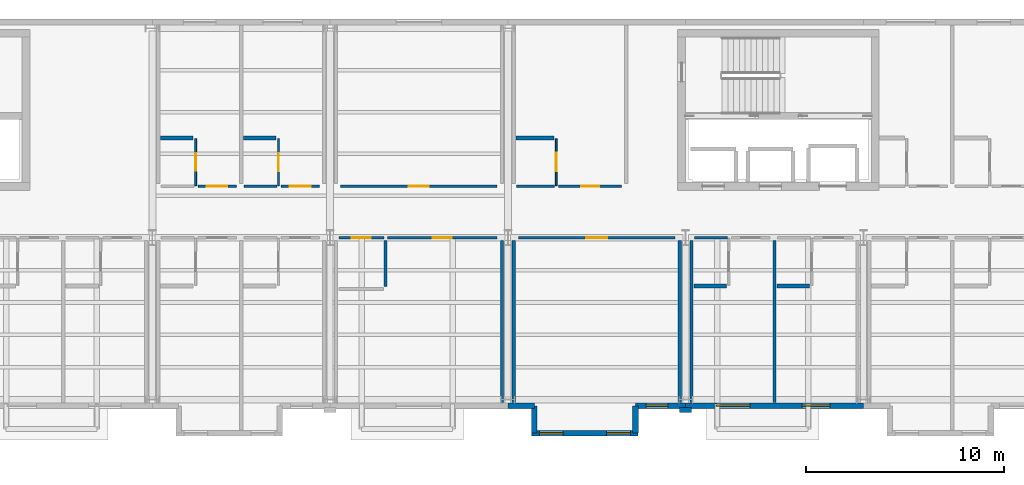
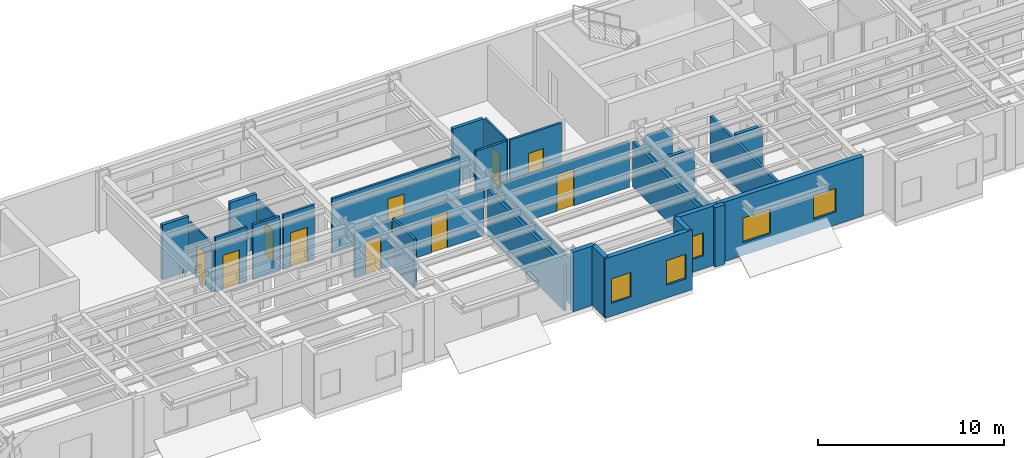
# One storey, part 28 of 46: 31 walls, 10 doors, 5 windows, 15 openings.
"""IFC4 building model written with IfcOpenShell, lengths in metres."""

from ifc_helpers import new_model, si_unit, direction, frame, frame_2d, origin, place, context, subcontext, project, spatial, rectangle, extrude, material, layer, layer_set, type_object, element, fill, save


model = new_model("IFC4")

# Units and contexts
model_context = context("Model", 3, precision=1e-05, world=origin(), true_north=direction((0.0, 1.0)))
body_context = subcontext(model_context, "Body", "Model", "MODEL_VIEW")
ifc_project = project(units=[si_unit("LENGTHUNIT", "METRE"), si_unit("AREAUNIT", "SQUARE_METRE"), si_unit("VOLUMEUNIT", "CUBIC_METRE"), si_unit("PLANEANGLEUNIT", "RADIAN"), si_unit("MASSUNIT", "GRAM", prefix="KILO")], contexts=[model_context])

# Site, building, storey
site_placement = place(None, origin())
site = spatial("IfcSite", under=ifc_project, at=site_placement, CompositionType="ELEMENT")
building_placement = place(site_placement, origin())
building = spatial("IfcBuilding", under=site, at=building_placement, Name="Sollismere Congress Hotel", CompositionType="ELEMENT")
storey_placement = place(building_placement, frame((0.0, 0.0, 19.5)))
storey = spatial("IfcBuildingStorey", under=building, at=storey_placement, Name="L04", CompositionType="ELEMENT", Elevation=19.5)

# Wall
ifc_material_1 = material(Name="Colorado Buff Sandstone Rainscreen on Insulated Backup", Category="masonry")
ifc_layer_1 = layer(ifc_material_1, 0.284912109375, Name="Colorado Buff Sandstone Rainscreen on Insulated Backup")
ifc_layer_set_1 = layer_set([ifc_layer_1], Name="Colorado Buff Sandstone Rainscreen on Insulated Backup")
wall_type_1 = type_object("IfcWallType", Name="WL-EXT285", PredefinedType="STANDARD", material=ifc_layer_set_1)
wall_1_placement = place(storey_placement, frame((85.0, -0.31005859375, 0.0), z_axis=(0.0, 0.0, 1.0), x_axis=(1.0, 0.0, 0.0)))
element("IfcWall", 1, at=wall_1_placement, inside=storey, type_object=wall_type_1, Name="Exterior wall EW-L04-491", PredefinedType="STANDARD", context=body_context, shape_type="SweptSolid", body=[
    extrude(rectangle(XDim=1.340087890625, YDim=0.284912109375, at=frame_2d((0.669921875, 0.0))), origin(), (0.0, 0.0, 1.0), 3.89990234375),
])

# Wall, opening, window
wall_2_placement = place(storey_placement, frame((91.4599609375, -0.31005859375, 0.0), z_axis=(0.0, 0.0, 1.0), x_axis=(1.0, 0.0, 0.0)))
wall_2 = element("IfcWall", 2, at=wall_2_placement, inside=storey, type_object=wall_type_1, Name="Exterior wall EW-L04-492", PredefinedType="STANDARD", context=body_context, shape_type="SweptSolid", body=[
    extrude(rectangle(XDim=2.5400390625, YDim=0.284912109375, at=frame_2d((1.27001953125, 0.0))), origin(), (0.0, 0.0, 1.0), 3.89990234375),
])
opening_1_placement = place(wall_2_placement, frame((0.544921875, 0.0, 0.85009765625)))
opening_1 = element("IfcOpeningElement", 3, at=opening_1_placement, cuts=wall_2, Name="Opening W-L04-377", PredefinedType="OPENING", context=body_context, shape_type="SweptSolid", body=[
    extrude(rectangle(XDim=1.10009765625, YDim=1.5, at=frame_2d((0.550048828125, 0.75))), frame((0.0, 0.15234375, 0.0), z_axis=(0.0, -1.0, 0.0), x_axis=(1.0, 0.0, 0.0)), (0.0, 0.0, 1.0), 0.304931640625),
])
ifc_material_2 = material(Name="Thermally Broken Bronze Aluminum & Low-E Glass", Category="aluminium")
window_type_1 = type_object("IfcWindowType", Name="WN-P110x150", PartitioningType="SINGLE_PANEL", PredefinedType="WINDOW", material=ifc_material_2)
window_1_placement = place(opening_1_placement, origin())
window_1 = element("IfcWindow", 4, at=window_1_placement, inside=storey, type_object=window_type_1, Name="WIN-W-L04-377", OverallHeight=1.5, OverallWidth=1.10009765625, PartitioningType="SINGLE_PANEL", PredefinedType="WINDOW", context=body_context, shape_type="SweptSolid", body=[
    extrude(rectangle(XDim=1.10009765625, YDim=1.5, at=frame_2d((0.550048828125, 0.75))), frame((0.0, 0.030029296875, 0.0), z_axis=(0.0, -1.0, 0.0), x_axis=(1.0, 0.0, 0.0)), (0.0, 0.0, 1.0), 0.06005859375),
])
fill(opening_1, window_1)

# Wall, openings, windows
wall_3_placement = place(storey_placement, frame((86.199951171875, -1.699951171875, 0.0), z_axis=(0.0, 0.0, 1.0), x_axis=(1.0, 0.0, 0.0)))
wall_3 = element("IfcWall", 5, at=wall_3_placement, inside=storey, type_object=wall_type_1, Name="Exterior wall EW-L04-493", PredefinedType="STANDARD", context=body_context, shape_type="SweptSolid", body=[
    extrude(rectangle(XDim=5.400146484375, YDim=0.284912109375, at=frame_2d((2.7001953125, 0.0))), origin(), (0.0, 0.0, 1.0), 3.89990234375),
])
opening_2_placement = place(wall_3_placement, frame((0.39990234375, 0.0, 0.85009765625)))
opening_2 = element("IfcOpeningElement", 6, at=opening_2_placement, cuts=wall_3, Name="Opening W-L04-378", PredefinedType="OPENING", context=body_context, shape_type="SweptSolid", body=[
    extrude(rectangle(XDim=1.199951171875, YDim=1.60009765625, at=frame_2d((0.60009765625, 0.800048828125))), frame((0.0, 0.15234375, 0.0), z_axis=(0.0, -1.0, 0.0), x_axis=(1.0, 0.0, 0.0)), (0.0, 0.0, 1.0), 0.304931640625),
])
opening_3_placement = place(wall_3_placement, frame((3.800048828125, 0.0, 0.85009765625)))
opening_3 = element("IfcOpeningElement", 7, at=opening_3_placement, cuts=wall_3, Name="Opening W-L04-379", PredefinedType="OPENING", context=body_context, shape_type="SweptSolid", body=[
    extrude(rectangle(XDim=1.199951171875, YDim=1.60009765625, at=frame_2d((0.60009765625, 0.800048828125))), frame((0.0, 0.15234375, 0.0), z_axis=(0.0, -1.0, 0.0), x_axis=(1.0, 0.0, 0.0)), (0.0, 0.0, 1.0), 0.304931640625),
])
window_type_2 = type_object("IfcWindowType", Name="WN-P120x160", PartitioningType="SINGLE_PANEL", PredefinedType="WINDOW", material=ifc_material_2)
window_2_placement = place(opening_2_placement, origin())
window_2 = element("IfcWindow", 8, at=window_2_placement, inside=storey, type_object=window_type_2, Name="WIN-W-L04-378", OverallHeight=1.60009765625, OverallWidth=1.199951171875, PartitioningType="SINGLE_PANEL", PredefinedType="WINDOW", context=body_context, shape_type="SweptSolid", body=[
    extrude(rectangle(XDim=1.199951171875, YDim=1.60009765625, at=frame_2d((0.60009765625, 0.800048828125))), frame((0.0, 0.030029296875, 0.0), z_axis=(0.0, -1.0, 0.0), x_axis=(1.0, 0.0, 0.0)), (0.0, 0.0, 1.0), 0.06005859375),
])
fill(opening_2, window_2)
window_3_placement = place(opening_3_placement, origin())
window_3 = element("IfcWindow", 9, at=window_3_placement, inside=storey, type_object=window_type_2, Name="WIN-W-L04-379", OverallHeight=1.60009765625, OverallWidth=1.199951171875, PartitioningType="SINGLE_PANEL", PredefinedType="WINDOW", context=body_context, shape_type="SweptSolid", body=[
    extrude(rectangle(XDim=1.199951171875, YDim=1.60009765625, at=frame_2d((0.60009765625, 0.800048828125))), frame((0.0, 0.030029296875, 0.0), z_axis=(0.0, -1.0, 0.0), x_axis=(1.0, 0.0, 0.0)), (0.0, 0.0, 1.0), 0.06005859375),
])
fill(opening_3, window_3)

# Walls
for number, where, z_axis, x_axis, name in (
    (10, (86.340087890625, -0.31005859375, 0.0), (0.0, 0.0, 1.0), (0.0, -1.0, 0.0), "Exterior wall EW-L04-494"),
    (11, (91.4599609375, -1.699951171875, 0.0), (0.0, 0.0, 1.0), (0.0, 1.0, 0.0), "Exterior wall EW-L04-495"),
):
    element("IfcWall", number, at=place(storey_placement, frame(where, z_axis=z_axis, x_axis=x_axis)), inside=storey, type_object=wall_type_1, Name=name, PredefinedType="STANDARD", context=body_context, shape_type="SweptSolid", body=[
        extrude(rectangle(XDim=1.389892578125, YDim=0.284912109375, at=frame_2d((0.69482421875, 0.0))), origin(), (0.0, 0.0, 1.0), 3.89990234375),
    ])

# Wall, openings, windows
wall_4_placement = place(storey_placement, frame((94.0, -0.31005859375, 0.0), z_axis=(0.0, 0.0, 1.0), x_axis=(1.0, 0.0, 0.0)))
wall_4 = element("IfcWall", 12, at=wall_4_placement, inside=storey, type_object=wall_type_1, Name="Exterior wall EW-L04-496", PredefinedType="STANDARD", context=body_context, shape_type="SweptSolid", body=[
    extrude(rectangle(XDim=9.0, YDim=0.284912109375, at=frame_2d((4.5, 0.0))), origin(), (0.0, 0.0, 1.0), 3.89990234375),
])
opening_4_placement = place(wall_4_placement, frame((1.550048828125, 0.0, 0.85009765625)))
opening_4 = element("IfcOpeningElement", 13, at=opening_4_placement, cuts=wall_4, Name="Opening W-L04-380", PredefinedType="OPENING", context=body_context, shape_type="SweptSolid", body=[
    extrude(rectangle(XDim=1.699951171875, YDim=1.60009765625, at=frame_2d((0.85009765625, 0.800048828125))), frame((0.0, 0.15234375, 0.0), z_axis=(0.0, -1.0, 0.0), x_axis=(1.0, 0.0, 0.0)), (0.0, 0.0, 1.0), 0.304931640625),
])
opening_5_placement = place(wall_4_placement, frame((5.89990234375, 0.0, 0.85009765625)))
opening_5 = element("IfcOpeningElement", 14, at=opening_5_placement, cuts=wall_4, Name="Opening W-L04-381", PredefinedType="OPENING", context=body_context, shape_type="SweptSolid", body=[
    extrude(rectangle(XDim=1.39990234375, YDim=1.550048828125, at=frame_2d((0.699951171875, 0.77490234375))), frame((0.0, 0.15234375, 0.0), z_axis=(0.0, -1.0, 0.0), x_axis=(1.0, 0.0, 0.0)), (0.0, 0.0, 1.0), 0.304931640625),
])
window_type_3 = type_object("IfcWindowType", Name="WN-P140x155", PartitioningType="SINGLE_PANEL", PredefinedType="WINDOW", material=ifc_material_2)
window_4_placement = place(opening_5_placement, origin())
window_4 = element("IfcWindow", 15, at=window_4_placement, inside=storey, type_object=window_type_3, Name="WIN-W-L04-381", OverallHeight=1.550048828125, OverallWidth=1.39990234375, PartitioningType="SINGLE_PANEL", PredefinedType="WINDOW", context=body_context, shape_type="SweptSolid", body=[
    extrude(rectangle(XDim=1.39990234375, YDim=1.550048828125, at=frame_2d((0.699951171875, 0.77490234375))), frame((0.0, 0.030029296875, 0.0), z_axis=(0.0, -1.0, 0.0), x_axis=(1.0, 0.0, 0.0)), (0.0, 0.0, 1.0), 0.06005859375),
])
fill(opening_5, window_4)
window_type_4 = type_object("IfcWindowType", Name="WN-P170x160", PartitioningType="SINGLE_PANEL", PredefinedType="WINDOW", material=ifc_material_2)
window_5_placement = place(opening_4_placement, origin())
window_5 = element("IfcWindow", 16, at=window_5_placement, inside=storey, type_object=window_type_4, Name="WIN-W-L04-380", OverallHeight=1.60009765625, OverallWidth=1.699951171875, PartitioningType="SINGLE_PANEL", PredefinedType="WINDOW", context=body_context, shape_type="SweptSolid", body=[
    extrude(rectangle(XDim=1.699951171875, YDim=1.60009765625, at=frame_2d((0.85009765625, 0.800048828125))), frame((0.0, 0.030029296875, 0.0), z_axis=(0.0, -1.0, 0.0), x_axis=(1.0, 0.0, 0.0)), (0.0, 0.0, 1.0), 0.06005859375),
])
fill(opening_4, window_5)

# Walls
ifc_material_3 = material(Name="Carved Travertine Pilaster & Frieze Assembly", Category="masonry")
ifc_layer_2 = layer(ifc_material_3, 0.260009765625, Name="Carved Travertine Pilaster & Frieze Assembly")
ifc_layer_set_2 = layer_set([ifc_layer_2], Name="Carved Travertine Pilaster & Frieze Assembly")
wall_type_2 = type_object("IfcWallType", Name="WL-PIL280", PredefinedType="ELEMENTEDWALL", material=ifc_layer_set_2)
wall_5_placement = place(storey_placement, frame((93.699951171875, -0.52001953125, 0.0), z_axis=(0.0, 0.0, 1.0), x_axis=(1.0, 0.0, 0.0)))
element("IfcWall", 17, at=wall_5_placement, inside=storey, type_object=wall_type_2, Name="Exterior wall EW-L04-497", PredefinedType="ELEMENTEDWALL", context=body_context, shape_type="SweptSolid", body=[
    extrude(rectangle(XDim=0.60009765625, YDim=0.260009765625, at=frame_2d((0.300048828125, 0.0))), origin(), (0.0, 0.0, 1.0), 3.89990234375),
])
ifc_material_4 = material(Name="Moisture-Resistant Shaft Gypsum Assembly")
ifc_layer_3 = layer(ifc_material_4, 0.199951171875, Name="Moisture-Resistant Shaft Gypsum Assembly")
ifc_layer_set_3 = layer_set([ifc_layer_3], Name="Moisture-Resistant Shaft Gypsum Assembly")
wall_type_3 = type_object("IfcWallType", Name="WL-PLM200", PredefinedType="PLUMBINGWALL", material=ifc_layer_set_3)
wall_6_placement = place(storey_placement, frame((67.419921875, 13.25, 0.0), z_axis=(0.0, 0.0, 1.0), x_axis=(1.0, 0.0, 0.0)))
element("IfcWall", 18, at=wall_6_placement, inside=storey, type_object=wall_type_3, Name="Interior wall IW-L04-1555", PredefinedType="PLUMBINGWALL", context=body_context, shape_type="SweptSolid", body=[
    extrude(rectangle(XDim=1.650146484375, YDim=0.199951171875, at=frame_2d((0.8251953125, 0.0))), origin(), (0.0, 0.0, 1.0), 3.5849609375),
])
wall_7_placement = place(storey_placement, frame((71.6201171875, 13.25, 0.0), z_axis=(0.0, 0.0, 1.0), x_axis=(1.0, 0.0, 0.0)))
element("IfcWall", 19, at=wall_7_placement, inside=storey, type_object=wall_type_3, Name="Interior wall IW-L04-1560", PredefinedType="PLUMBINGWALL", context=body_context, shape_type="SweptSolid", body=[
    extrude(rectangle(XDim=1.64990234375, YDim=0.199951171875, at=frame_2d((0.824951171875, 0.0))), origin(), (0.0, 0.0, 1.0), 3.5849609375),
])
wall_8_placement = place(storey_placement, frame((85.419921875, 13.25, 0.0), z_axis=(0.0, 0.0, 1.0), x_axis=(1.0, 0.0, 0.0)))
element("IfcWall", 20, at=wall_8_placement, inside=storey, type_object=wall_type_3, Name="Interior wall IW-L04-1566", PredefinedType="PLUMBINGWALL", context=body_context, shape_type="SweptSolid", body=[
    extrude(rectangle(XDim=1.91015625, YDim=0.199951171875, at=frame_2d((0.955078125, 0.0))), origin(), (0.0, 0.0, 1.0), 3.5849609375),
])
wall_9_placement = place(storey_placement, frame((94.419921875, 5.75, 0.0), z_axis=(0.0, 0.0, 1.0), x_axis=(1.0, 0.0, 0.0)))
element("IfcWall", 21, at=wall_9_placement, inside=storey, type_object=wall_type_3, Name="Interior wall IW-L04-1572", PredefinedType="PLUMBINGWALL", context=body_context, shape_type="SweptSolid", body=[
    extrude(rectangle(XDim=1.650146484375, YDim=0.199951171875, at=frame_2d((0.8251953125, 0.0))), origin(), (0.0, 0.0, 1.0), 3.137939453125),
])
wall_10_placement = place(storey_placement, frame((98.6201171875, 5.75, 0.0), z_axis=(0.0, 0.0, 1.0), x_axis=(1.0, 0.0, 0.0)))
element("IfcWall", 22, at=wall_10_placement, inside=storey, type_object=wall_type_3, Name="Interior wall IW-L04-1577", PredefinedType="PLUMBINGWALL", context=body_context, shape_type="SweptSolid", body=[
    extrude(rectangle(XDim=1.64990234375, YDim=0.199951171875, at=frame_2d((0.824951171875, 0.0))), origin(), (0.0, 0.0, 1.0), 3.137939453125),
])

# Wall, opening, door
ifc_material_5 = material(Name="Moisture-Resistant Gypsum Partition")
ifc_layer_4 = layer(ifc_material_5, 0.10009765625, Name="Moisture-Resistant Gypsum Partition")
ifc_layer_set_4 = layer_set([ifc_layer_4], Name="Moisture-Resistant Gypsum Partition")
wall_type_4 = type_object("IfcWallType", Name="WL-PRT100", PredefinedType="PARTITIONING", material=ifc_layer_set_4)
wall_11_placement = place(storey_placement, frame((69.18994140625, 10.840087890625, 0.0), z_axis=(0.0, 0.0, 1.0), x_axis=(0.0, 1.0, 0.0)))
wall_11 = element("IfcWall", 23, at=wall_11_placement, inside=storey, type_object=wall_type_4, Name="Interior wall IW-L04-1554", PredefinedType="PARTITIONING", context=body_context, shape_type="SweptSolid", body=[
    extrude(rectangle(XDim=2.369873046875, YDim=0.10009765625, at=frame_2d((1.18505859375, 0.0))), origin(), (0.0, 0.0, 1.0), 3.193115234375),
])
opening_6_placement = place(wall_11_placement, frame((0.7451171875, 0.0, 0.0)))
opening_6 = element("IfcOpeningElement", 24, at=opening_6_placement, cuts=wall_11, Name="Opening D-L04-0548", PredefinedType="OPENING", context=body_context, shape_type="SweptSolid", body=[
    extrude(rectangle(XDim=0.8798828125, YDim=2.10009765625, at=frame_2d((0.43994140625, 1.050048828125))), frame((0.0, 0.06005859375, 0.0), z_axis=(0.0, -1.0, 0.0), x_axis=(1.0, 0.0, 0.0)), (0.0, 0.0, 1.0), 0.1201171875),
])
ifc_material_6 = material(Name="Moisture-Sealed Timber Bathroom Door", Category="wood")
door_type_1 = type_object("IfcDoorType", Name="DR-BT01", OperationType="NOTDEFINED", PredefinedType="DOOR", material=ifc_material_6)
door_1_placement = place(opening_6_placement, origin())
door_1 = element("IfcDoor", 25, at=door_1_placement, inside=storey, type_object=door_type_1, Name="En-suite bathroom door D-L04-0548", OperationType="SINGLE_SWING_LEFT", OverallHeight=2.10009765625, OverallWidth=0.8798828125, PredefinedType="DOOR", context=body_context, shape_type="SweptSolid", body=[
    extrude(rectangle(XDim=0.8798828125, YDim=2.10009765625, at=frame_2d((0.43994140625, 1.050048828125))), frame((0.0, 0.02490234375, 0.0), z_axis=(0.0, -1.0, 0.0), x_axis=(1.0, 0.0, 0.0)), (0.0, 0.0, 1.0), 0.050048828125),
])
fill(opening_6, door_1)

wall_12_placement = place(storey_placement, frame((73.389892578125, 10.840087890625, 0.0), z_axis=(0.0, 0.0, 1.0), x_axis=(0.0, 1.0, 0.0)))
wall_12 = element("IfcWall", 26, at=wall_12_placement, inside=storey, type_object=wall_type_4, Name="Interior wall IW-L04-1559", PredefinedType="PARTITIONING", context=body_context, shape_type="SweptSolid", body=[
    extrude(rectangle(XDim=2.369873046875, YDim=0.10009765625, at=frame_2d((1.18505859375, 0.0))), origin(), (0.0, 0.0, 1.0), 3.193115234375),
])
opening_7_placement = place(wall_12_placement, frame((0.73291015625, 0.0, 0.0)))
opening_7 = element("IfcOpeningElement", 27, at=opening_7_placement, cuts=wall_12, Name="Opening D-L04-0550", PredefinedType="OPENING", context=body_context, shape_type="SweptSolid", body=[
    extrude(rectangle(XDim=0.905029296875, YDim=2.10009765625, at=frame_2d((0.45263671875, 1.050048828125))), frame((0.0, 0.06005859375, 0.0), z_axis=(0.0, -1.0, 0.0), x_axis=(1.0, 0.0, 0.0)), (0.0, 0.0, 1.0), 0.1201171875),
])
door_type_2 = type_object("IfcDoorType", Name="DR-BT02", OperationType="NOTDEFINED", PredefinedType="DOOR", material=ifc_material_6)
door_2_placement = place(opening_7_placement, origin())
door_2 = element("IfcDoor", 28, at=door_2_placement, inside=storey, type_object=door_type_2, Name="En-suite bathroom door D-L04-0550", OperationType="SINGLE_SWING_LEFT", OverallHeight=2.10009765625, OverallWidth=0.905029296875, PredefinedType="DOOR", context=body_context, shape_type="SweptSolid", body=[
    extrude(rectangle(XDim=0.905029296875, YDim=2.10009765625, at=frame_2d((0.45263671875, 1.050048828125))), frame((0.0, 0.02490234375, 0.0), z_axis=(0.0, -1.0, 0.0), x_axis=(1.0, 0.0, 0.0)), (0.0, 0.0, 1.0), 0.050048828125),
])
fill(opening_7, door_2)

wall_13_placement = place(storey_placement, frame((87.449951171875, 10.840087890625, 0.0), z_axis=(0.0, 0.0, 1.0), x_axis=(0.0, 1.0, 0.0)))
wall_13 = element("IfcWall", 29, at=wall_13_placement, inside=storey, type_object=wall_type_4, Name="Interior wall IW-L04-1565", PredefinedType="PARTITIONING", context=body_context, shape_type="SweptSolid", body=[
    extrude(rectangle(XDim=2.369873046875, YDim=0.10009765625, at=frame_2d((1.18505859375, 0.0))), origin(), (0.0, 0.0, 1.0), 3.5849609375),
])
opening_8_placement = place(wall_13_placement, frame((0.719970703125, 0.0, 0.0)))
opening_8 = element("IfcOpeningElement", 30, at=opening_8_placement, cuts=wall_13, Name="Opening D-L04-0552", PredefinedType="OPENING", context=body_context, shape_type="SweptSolid", body=[
    extrude(rectangle(XDim=0.929931640625, YDim=2.139892578125, at=frame_2d((0.46484375, 1.06982421875))), frame((0.0, 0.06005859375, 0.0), z_axis=(0.0, -1.0, 0.0), x_axis=(1.0, 0.0, 0.0)), (0.0, 0.0, 1.0), 0.1201171875),
])
door_type_3 = type_object("IfcDoorType", Name="DR-BT03", OperationType="NOTDEFINED", PredefinedType="DOOR", material=ifc_material_6)
door_3_placement = place(opening_8_placement, origin())
door_3 = element("IfcDoor", 31, at=door_3_placement, inside=storey, type_object=door_type_3, Name="En-suite bathroom door D-L04-0552", OperationType="SINGLE_SWING_LEFT", OverallHeight=2.139892578125, OverallWidth=0.929931640625, PredefinedType="DOOR", context=body_context, shape_type="SweptSolid", body=[
    extrude(rectangle(XDim=0.929931640625, YDim=2.139892578125, at=frame_2d((0.46484375, 1.06982421875))), frame((0.0, 0.02490234375, 0.0), z_axis=(0.0, -1.0, 0.0), x_axis=(1.0, 0.0, 0.0)), (0.0, 0.0, 1.0), 0.050048828125),
])
fill(opening_8, door_3)

ifc_material_7 = material(Name="Fire-Rated Gypsum Partition")
ifc_layer_5 = layer(ifc_material_7, 0.139892578125, Name="Fire-Rated Gypsum Partition")
ifc_layer_set_5 = layer_set([ifc_layer_5], Name="Fire-Rated Gypsum Partition")
wall_type_5 = type_object("IfcWallType", Name="WL-PRT140R", PredefinedType="PARTITIONING", material=ifc_layer_set_5)
wall_14_placement = place(storey_placement, frame((69.31005859375, 10.800048828125, 0.0), z_axis=(0.0, 0.0, 1.0), x_axis=(1.0, 0.0, 0.0)))
wall_14 = element("IfcWall", 32, at=wall_14_placement, inside=storey, type_object=wall_type_5, Name="Interior wall IW-L04-1551", PredefinedType="PARTITIONING", context=body_context, shape_type="SweptSolid", body=[
    extrude(rectangle(XDim=1.949951171875, YDim=0.139892578125, at=frame_2d((0.97509765625, 0.0))), origin(), (0.0, 0.0, 1.0), 3.5849609375),
])
opening_9_placement = place(wall_14_placement, frame((0.455078125, 0.0, 0.0)))
opening_9 = element("IfcOpeningElement", 33, at=opening_9_placement, cuts=wall_14, Name="Opening D-L04-0547", PredefinedType="OPENING", context=body_context, shape_type="SweptSolid", body=[
    extrude(rectangle(XDim=1.0400390625, YDim=2.25, at=frame_2d((0.52001953125, 1.125))), frame((0.0, 0.079833984375, 0.0), z_axis=(0.0, -1.0, 0.0), x_axis=(1.0, 0.0, 0.0)), (0.0, 0.0, 1.0), 0.159912109375),
])
ifc_material_8 = material(Name="Solid-Core Acoustic Walnut Guestroom Entry Door")
door_type_4 = type_object("IfcDoorType", Name="DR-KY05", OperationType="NOTDEFINED", PredefinedType="DOOR", material=ifc_material_8)
door_4_placement = place(opening_9_placement, origin())
door_4 = element("IfcDoor", 34, at=door_4_placement, inside=storey, type_object=door_type_4, Name="Hotel room entry door D-L04-0547", OperationType="SINGLE_SWING_RIGHT", OverallHeight=2.25, OverallWidth=1.0400390625, PredefinedType="DOOR", context=body_context, shape_type="SweptSolid", body=[
    extrude(rectangle(XDim=1.0400390625, YDim=2.25, at=frame_2d((0.52001953125, 1.125))), frame((0.0, 0.02490234375, 0.0), z_axis=(0.0, -1.0, 0.0), x_axis=(1.0, 0.0, 0.0)), (0.0, 0.0, 1.0), 0.050048828125),
])
fill(opening_9, door_4)

# Wall
wall_15_placement = place(storey_placement, frame((71.639892578125, 10.800048828125, 0.0), z_axis=(0.0, 0.0, 1.0), x_axis=(1.0, 0.0, 0.0)))
element("IfcWall", 35, at=wall_15_placement, inside=storey, type_object=wall_type_5, Name="Interior wall IW-L04-1556", PredefinedType="PARTITIONING", context=body_context, shape_type="SweptSolid", body=[
    extrude(rectangle(XDim=1.670166015625, YDim=0.139892578125, at=frame_2d((0.8349609375, 0.0))), origin(), (0.0, 0.0, 1.0), 3.5849609375),
])

# Wall, opening, door
wall_16_placement = place(storey_placement, frame((73.510009765625, 10.800048828125, 0.0), z_axis=(0.0, 0.0, 1.0), x_axis=(1.0, 0.0, 0.0)))
wall_16 = element("IfcWall", 36, at=wall_16_placement, inside=storey, type_object=wall_type_5, Name="Interior wall IW-L04-1557", PredefinedType="PARTITIONING", context=body_context, shape_type="SweptSolid", body=[
    extrude(rectangle(XDim=1.949951171875, YDim=0.139892578125, at=frame_2d((0.97509765625, 0.0))), origin(), (0.0, 0.0, 1.0), 3.5849609375),
])
opening_10_placement = place(wall_16_placement, frame((0.43994140625, 0.0, 0.0)))
opening_10 = element("IfcOpeningElement", 37, at=opening_10_placement, cuts=wall_16, Name="Opening D-L04-0549", PredefinedType="OPENING", context=body_context, shape_type="SweptSolid", body=[
    extrude(rectangle(XDim=1.070068359375, YDim=2.25, at=frame_2d((0.53515625, 1.125))), frame((0.0, 0.079833984375, 0.0), z_axis=(0.0, -1.0, 0.0), x_axis=(1.0, 0.0, 0.0)), (0.0, 0.0, 1.0), 0.159912109375),
])
door_type_5 = type_object("IfcDoorType", Name="DR-KY06", OperationType="NOTDEFINED", PredefinedType="DOOR", material=ifc_material_8)
door_5_placement = place(opening_10_placement, origin())
door_5 = element("IfcDoor", 38, at=door_5_placement, inside=storey, type_object=door_type_5, Name="Hotel room entry door D-L04-0549", OperationType="SINGLE_SWING_RIGHT", OverallHeight=2.25, OverallWidth=1.070068359375, PredefinedType="DOOR", context=body_context, shape_type="SweptSolid", body=[
    extrude(rectangle(XDim=1.070068359375, YDim=2.25, at=frame_2d((0.53515625, 1.125))), frame((0.0, 0.02490234375, 0.0), z_axis=(0.0, -1.0, 0.0), x_axis=(1.0, 0.0, 0.0)), (0.0, 0.0, 1.0), 0.050048828125),
])
fill(opening_10, door_5)

# Wall
wall_17_placement = place(storey_placement, frame((85.43994140625, 10.800048828125, 0.0), z_axis=(0.0, 0.0, 1.0), x_axis=(1.0, 0.0, 0.0)))
element("IfcWall", 39, at=wall_17_placement, inside=storey, type_object=wall_type_5, Name="Interior wall IW-L04-1561", PredefinedType="PARTITIONING", context=body_context, shape_type="SweptSolid", body=[
    extrude(rectangle(XDim=1.93017578125, YDim=0.139892578125, at=frame_2d((0.965087890625, 0.0))), origin(), (0.0, 0.0, 1.0), 3.5849609375),
])

# Wall, opening, door
wall_18_placement = place(storey_placement, frame((87.570068359375, 10.800048828125, 0.0), z_axis=(0.0, 0.0, 1.0), x_axis=(1.0, 0.0, 0.0)))
wall_18 = element("IfcWall", 40, at=wall_18_placement, inside=storey, type_object=wall_type_5, Name="Interior wall IW-L04-1562", PredefinedType="PARTITIONING", context=body_context, shape_type="SweptSolid", body=[
    extrude(rectangle(XDim=3.18994140625, YDim=0.139892578125, at=frame_2d((1.594970703125, 0.0))), origin(), (0.0, 0.0, 1.0), 3.5849609375),
])
opening_11_placement = place(wall_18_placement, frame((1.135009765625, 0.0, 0.0)))
opening_11 = element("IfcOpeningElement", 41, at=opening_11_placement, cuts=wall_18, Name="Opening D-L04-0551", PredefinedType="OPENING", context=body_context, shape_type="SweptSolid", body=[
    extrude(rectangle(XDim=0.919921875, YDim=2.300048828125, at=frame_2d((0.4599609375, 1.14990234375))), frame((0.0, 0.079833984375, 0.0), z_axis=(0.0, -1.0, 0.0), x_axis=(1.0, 0.0, 0.0)), (0.0, 0.0, 1.0), 0.159912109375),
])
door_type_6 = type_object("IfcDoorType", Name="DR-KY07", OperationType="NOTDEFINED", PredefinedType="DOOR", material=ifc_material_8)
door_6_placement = place(opening_11_placement, origin())
door_6 = element("IfcDoor", 42, at=door_6_placement, inside=storey, type_object=door_type_6, Name="Hotel room entry door D-L04-0551", OperationType="SINGLE_SWING_RIGHT", OverallHeight=2.300048828125, OverallWidth=0.919921875, PredefinedType="DOOR", context=body_context, shape_type="SweptSolid", body=[
    extrude(rectangle(XDim=0.919921875, YDim=2.300048828125, at=frame_2d((0.4599609375, 1.14990234375))), frame((0.0, 0.02490234375, 0.0), z_axis=(0.0, -1.0, 0.0), x_axis=(1.0, 0.0, 0.0)), (0.0, 0.0, 1.0), 0.050048828125),
])
fill(opening_11, door_6)

# Wall
wall_19_placement = place(storey_placement, frame((94.43994140625, 8.199951171875, 0.0), z_axis=(0.0, 0.0, 1.0), x_axis=(1.0, 0.0, 0.0)))
element("IfcWall", 43, at=wall_19_placement, inside=storey, type_object=wall_type_5, Name="Interior wall IW-L04-1567", PredefinedType="PARTITIONING", context=body_context, shape_type="SweptSolid", body=[
    extrude(rectangle(XDim=1.670166015625, YDim=0.139892578125, at=frame_2d((0.8349609375, 0.0))), origin(), (0.0, 0.0, 1.0), 2.998046875),
])

# Wall, opening, door
wall_20_placement = place(storey_placement, frame((76.43994140625, 8.199951171875, 0.0), z_axis=(0.0, 0.0, 1.0), x_axis=(1.0, 0.0, 0.0)))
wall_20 = element("IfcWall", 44, at=wall_20_placement, inside=storey, type_object=wall_type_5, Name="Interior wall IW-L04-1709", PredefinedType="PARTITIONING", context=body_context, shape_type="SweptSolid", body=[
    extrude(rectangle(XDim=2.280029296875, YDim=0.139892578125, at=frame_2d((1.14013671875, 0.0))), origin(), (0.0, 0.0, 1.0), 2.998046875),
])
opening_12_placement = place(wall_20_placement, frame((0.659912109375, 0.0, 0.0)))
opening_12 = element("IfcOpeningElement", 45, at=opening_12_placement, cuts=wall_20, Name="Opening D-L04-0603", PredefinedType="OPENING", context=body_context, shape_type="SweptSolid", body=[
    extrude(rectangle(XDim=0.9599609375, YDim=2.14990234375, at=frame_2d((0.47998046875, 1.074951171875))), frame((0.0, 0.079833984375, 0.0), z_axis=(0.0, -1.0, 0.0), x_axis=(1.0, 0.0, 0.0)), (0.0, 0.0, 1.0), 0.159912109375),
])
ifc_material_9 = material(Name="Fire-Rated Accessible Restroom Door")
door_type_7 = type_object("IfcDoorType", Name="DR-AWC01", OperationType="NOTDEFINED", PredefinedType="DOOR", material=ifc_material_9)
door_7_placement = place(opening_12_placement, origin())
door_7 = element("IfcDoor", 46, at=door_7_placement, inside=storey, type_object=door_type_7, Name="Accessible restroom door D-L04-0603", OperationType="SINGLE_SWING_RIGHT", OverallHeight=2.14990234375, OverallWidth=0.9599609375, PredefinedType="DOOR", context=body_context, shape_type="SweptSolid", body=[
    extrude(rectangle(XDim=0.9599609375, YDim=2.14990234375, at=frame_2d((0.47998046875, 1.074951171875))), frame((0.0, 0.02490234375, 0.0), z_axis=(0.0, -1.0, 0.0), x_axis=(1.0, 0.0, 0.0)), (0.0, 0.0, 1.0), 0.050048828125),
])
fill(opening_12, door_7)

# Wall
wall_21_placement = place(storey_placement, frame((78.800048828125, 5.739990234375, 0.0), z_axis=(0.0, 0.0, 1.0), x_axis=(0.0, 1.0, 0.0)))
element("IfcWall", 47, at=wall_21_placement, inside=storey, type_object=wall_type_5, Name="Interior wall IW-L04-1710", PredefinedType="PARTITIONING", context=body_context, shape_type="SweptSolid", body=[
    extrude(rectangle(XDim=2.320068359375, YDim=0.139892578125, at=frame_2d((1.16015625, 0.0))), origin(), (0.0, 0.0, 1.0), 3.193115234375),
])

# Wall, opening, door
wall_22_placement = place(storey_placement, frame((78.89990234375, 8.199951171875, 0.0), z_axis=(0.0, 0.0, 1.0), x_axis=(1.0, 0.0, 0.0)))
wall_22 = element("IfcWall", 48, at=wall_22_placement, inside=storey, type_object=wall_type_5, Name="Interior wall IW-L04-1712", PredefinedType="PARTITIONING", context=body_context, shape_type="SweptSolid", body=[
    extrude(rectangle(XDim=5.56005859375, YDim=0.139892578125, at=frame_2d((2.780029296875, 0.0))), origin(), (0.0, 0.0, 1.0), 2.998046875),
])
opening_13_placement = place(wall_22_placement, frame((2.2900390625, 0.0, 0.0)))
opening_13 = element("IfcOpeningElement", 49, at=opening_13_placement, cuts=wall_22, Name="Opening D-L04-0604", PredefinedType="OPENING", context=body_context, shape_type="SweptSolid", body=[
    extrude(rectangle(XDim=0.97998046875, YDim=2.35009765625, at=frame_2d((0.489990234375, 1.175048828125))), frame((0.0, 0.079833984375, 0.0), z_axis=(0.0, -1.0, 0.0), x_axis=(1.0, 0.0, 0.0)), (0.0, 0.0, 1.0), 0.159912109375),
])
door_type_8 = type_object("IfcDoorType", Name="DR-KY09", OperationType="NOTDEFINED", PredefinedType="DOOR", material=ifc_material_8)
door_8_placement = place(opening_13_placement, origin())
door_8 = element("IfcDoor", 50, at=door_8_placement, inside=storey, type_object=door_type_8, Name="Hotel room entry door D-L04-0604", OperationType="SINGLE_SWING_LEFT", OverallHeight=2.35009765625, OverallWidth=0.97998046875, PredefinedType="DOOR", context=body_context, shape_type="SweptSolid", body=[
    extrude(rectangle(XDim=0.97998046875, YDim=2.35009765625, at=frame_2d((0.489990234375, 1.175048828125))), frame((0.0, 0.02490234375, 0.0), z_axis=(0.0, -1.0, 0.0), x_axis=(1.0, 0.0, 0.0)), (0.0, 0.0, 1.0), 0.050048828125),
])
fill(opening_13, door_8)

wall_23_placement = place(storey_placement, frame((76.5400390625, 10.800048828125, 0.0), z_axis=(0.0, 0.0, 1.0), x_axis=(1.0, 0.0, 0.0)))
wall_23 = element("IfcWall", 51, at=wall_23_placement, inside=storey, type_object=wall_type_5, Name="Interior wall IW-L04-1715", PredefinedType="PARTITIONING", context=body_context, shape_type="SweptSolid", body=[
    extrude(rectangle(XDim=7.919921875, YDim=0.139892578125, at=frame_2d((3.9599609375, 0.0))), origin(), (0.0, 0.0, 1.0), 3.5849609375),
])
opening_14_placement = place(wall_23_placement, frame((3.455078125, 0.0, 0.0)))
opening_14 = element("IfcOpeningElement", 52, at=opening_14_placement, cuts=wall_23, Name="Opening D-L04-0605", PredefinedType="OPENING", context=body_context, shape_type="SweptSolid", body=[
    extrude(rectangle(XDim=1.010009765625, YDim=2.35009765625, at=frame_2d((0.5048828125, 1.175048828125))), frame((0.0, 0.079833984375, 0.0), z_axis=(0.0, -1.0, 0.0), x_axis=(1.0, 0.0, 0.0)), (0.0, 0.0, 1.0), 0.159912109375),
])
door_type_9 = type_object("IfcDoorType", Name="DR-KY10", OperationType="NOTDEFINED", PredefinedType="DOOR", material=ifc_material_8)
door_9_placement = place(opening_14_placement, origin())
door_9 = element("IfcDoor", 53, at=door_9_placement, inside=storey, type_object=door_type_9, Name="Hotel room entry door D-L04-0605", OperationType="SINGLE_SWING_RIGHT", OverallHeight=2.35009765625, OverallWidth=1.010009765625, PredefinedType="DOOR", context=body_context, shape_type="SweptSolid", body=[
    extrude(rectangle(XDim=1.010009765625, YDim=2.35009765625, at=frame_2d((0.5048828125, 1.175048828125))), frame((0.0, 0.02490234375, 0.0), z_axis=(0.0, -1.0, 0.0), x_axis=(1.0, 0.0, 0.0)), (0.0, 0.0, 1.0), 0.050048828125),
])
fill(opening_14, door_9)

wall_24_placement = place(storey_placement, frame((85.5400390625, 8.199951171875, 0.0), z_axis=(0.0, 0.0, 1.0), x_axis=(1.0, 0.0, 0.0)))
wall_24 = element("IfcWall", 54, at=wall_24_placement, inside=storey, type_object=wall_type_5, Name="Interior wall IW-L04-1718", PredefinedType="PARTITIONING", context=body_context, shape_type="SweptSolid", body=[
    extrude(rectangle(XDim=7.919921875, YDim=0.139892578125, at=frame_2d((3.9599609375, 0.0))), origin(), (0.0, 0.0, 1.0), 2.998046875),
])
opening_15_placement = place(wall_24_placement, frame((3.43994140625, 0.0, 0.0)))
opening_15 = element("IfcOpeningElement", 55, at=opening_15_placement, cuts=wall_24, Name="Opening D-L04-0606", PredefinedType="OPENING", context=body_context, shape_type="SweptSolid", body=[
    extrude(rectangle(XDim=1.0400390625, YDim=2.39990234375, at=frame_2d((0.52001953125, 1.199951171875))), frame((0.0, 0.079833984375, 0.0), z_axis=(0.0, -1.0, 0.0), x_axis=(1.0, 0.0, 0.0)), (0.0, 0.0, 1.0), 0.159912109375),
])
door_type_10 = type_object("IfcDoorType", Name="DR-KY11", OperationType="NOTDEFINED", PredefinedType="DOOR", material=ifc_material_8)
door_10_placement = place(opening_15_placement, origin())
door_10 = element("IfcDoor", 56, at=door_10_placement, inside=storey, type_object=door_type_10, Name="Hotel room entry door D-L04-0606", OperationType="SINGLE_SWING_LEFT", OverallHeight=2.39990234375, OverallWidth=1.0400390625, PredefinedType="DOOR", context=body_context, shape_type="SweptSolid", body=[
    extrude(rectangle(XDim=1.0400390625, YDim=2.39990234375, at=frame_2d((0.52001953125, 1.199951171875))), frame((0.0, 0.02490234375, 0.0), z_axis=(0.0, -1.0, 0.0), x_axis=(1.0, 0.0, 0.0)), (0.0, 0.0, 1.0), 0.050048828125),
])
fill(opening_15, door_10)

# Walls
ifc_material_10 = material(Name="Fire-Rated Acoustic Gypsum Partition")
ifc_layer_6 = layer(ifc_material_10, 0.1650390625, Name="Fire-Rated Acoustic Gypsum Partition")
ifc_layer_set_6 = layer_set([ifc_layer_6], Name="Fire-Rated Acoustic Gypsum Partition")
wall_type_6 = type_object("IfcWallType", Name="WL-PRT165R", PredefinedType="PARTITIONING", material=ifc_layer_set_6)
for number, where, z_axis, x_axis, name in (
    (57, (94.300048828125, -0.152587890625, 0.0), (0.0, 0.0, 1.0), (0.0, 1.0, 0.0), "Interior wall IW-L04-1569"),
    (58, (98.5, -0.152587890625, 0.0), (0.0, 0.0, 1.0), (0.0, 1.0, 0.0), "Interior wall IW-L04-1570"),
    (59, (84.699951171875, -0.152587890625, 0.0), (0.0, 0.0, 1.0), (0.0, 1.0, 0.0), "Interior wall IW-L04-1714"),
    (60, (85.300048828125, -0.152587890625, 0.0), (0.0, 0.0, 1.0), (0.0, 1.0, 0.0), "Interior wall IW-L04-1719"),
    (61, (93.699951171875, -0.152587890625, 0.0), (0.0, 0.0, 1.0), (0.0, 1.0, 0.0), "Interior wall IW-L04-1720"),
):
    element("IfcWall", number, at=place(storey_placement, frame(where, z_axis=z_axis, x_axis=x_axis)), inside=storey, type_object=wall_type_6, Name=name, PredefinedType="PARTITIONING", context=body_context, shape_type="SweptSolid", body=[
        extrude(rectangle(XDim=8.212646484375, YDim=0.1650390625, at=frame_2d((4.1064453125, 0.0))), origin(), (0.0, 0.0, 1.0), 2.97509765625),
    ])

save(model, "model.ifc")
